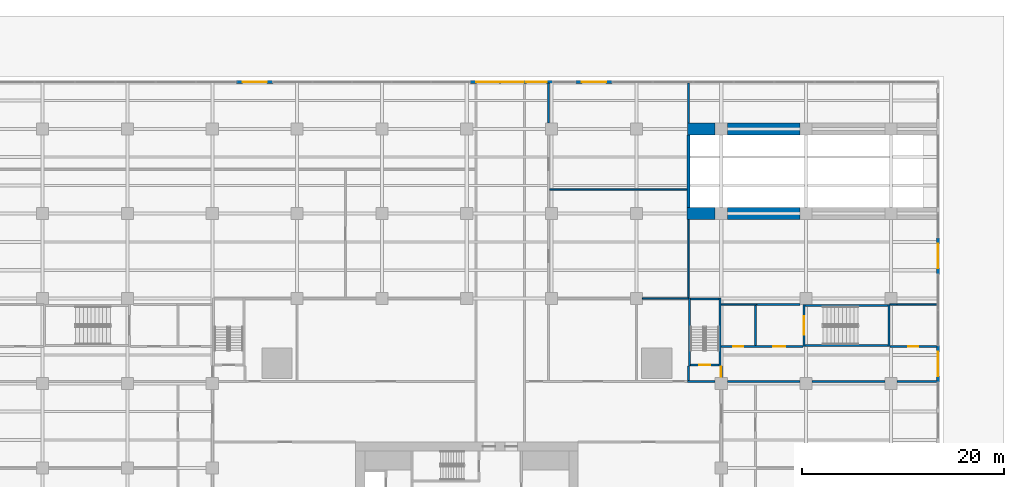
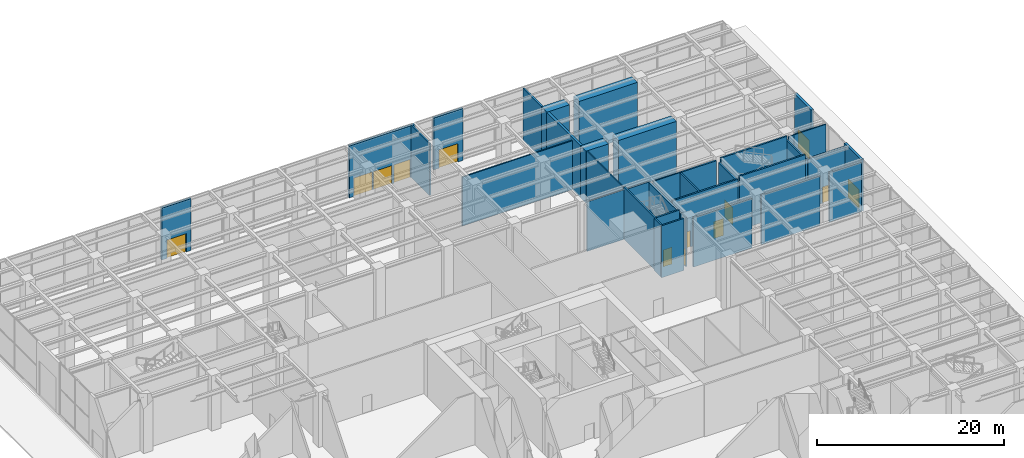
# One storey, part 35 of 43: 36 walls, 13 doors, 13 openings.
"""IFC4 building model written with IfcOpenShell, lengths in metres."""

from ifc_helpers import new_model, si_unit, direction, frame, frame_2d, origin, place, context, subcontext, project, spatial, rectangle, extrude, material, layer, layer_set, type_object, element, fill, save


model = new_model("IFC4")

# Units and contexts
model_context = context("Model", 3, precision=1e-05, world=origin(), true_north=direction((0.0, 1.0)))
body_context = subcontext(model_context, "Body", "Model", "MODEL_VIEW")
ifc_project = project(units=[si_unit("LENGTHUNIT", "METRE"), si_unit("AREAUNIT", "SQUARE_METRE"), si_unit("VOLUMEUNIT", "CUBIC_METRE"), si_unit("PLANEANGLEUNIT", "RADIAN"), si_unit("MASSUNIT", "GRAM", prefix="KILO")], contexts=[model_context])

# Site, building, storey
site_placement = place(None, origin())
site = spatial("IfcSite", under=ifc_project, at=site_placement, CompositionType="ELEMENT")
building_placement = place(site_placement, origin())
building = spatial("IfcBuilding", under=site, at=building_placement, Name="Khepri Terraces", CompositionType="ELEMENT")
storey_placement = place(building_placement, origin())
storey = spatial("IfcBuildingStorey", under=building, at=storey_placement, Name="L00", CompositionType="ELEMENT", Elevation=0.0)

# Wall, opening, door
ifc_material_1 = material(Name="Precast concrete C50/60 warm stone", Category="masonry")
ifc_layer_1 = layer(ifc_material_1, 0.300048828125, Name="Precast concrete C50/60 warm stone", Category="masonry")
ifc_layer_set_1 = layer_set([ifc_layer_1], Name="Precast concrete C50/60 warm stone")
wall_type_1 = type_object("IfcWallType", Name="WL-EXT-PRECAST-300", PredefinedType="STANDARD", material=ifc_layer_set_1)
wall_1_placement = place(storey_placement, frame((46.64990234375, 16.925048828125, 0.0), z_axis=(0.0, 0.0, 1.0), x_axis=(0.0, 1.0, 0.0)))
wall_1 = element("IfcWall", 1, at=wall_1_placement, inside=storey, type_object=wall_type_1, Name="External wall L00 E", PredefinedType="STANDARD", context=body_context, shape_type="SweptSolid", body=[
    extrude(rectangle(XDim=3.599853515625, YDim=0.300048828125, at=frame_2d((1.7998046875, 0.0))), origin(), (0.0, 0.0, 1.0), 6.780029296875),
])
opening_1_placement = place(wall_1_placement, frame((0.60009765625, 0.0, 0.0)))
opening_1 = element("IfcOpeningElement", 2, at=opening_1_placement, cuts=wall_1, Name="Opening ED-L00-08", PredefinedType="OPENING", context=body_context, shape_type="SweptSolid", body=[
    extrude(rectangle(XDim=2.39990234375, YDim=2.39990234375, at=frame_2d((1.199951171875, 1.199951171875))), frame((0.0, 0.16015625, 0.0), z_axis=(0.0, -1.0, 0.0), x_axis=(1.0, 0.0, 0.0)), (0.0, 0.0, 1.0), 0.320068359375),
])
ifc_material_2 = material(Name="Painted galvanised steel leaf", Category="steel")
door_type_1 = type_object("IfcDoorType", Name="DR-EXIT-2400x2400", OperationType="NOTDEFINED", PredefinedType="DOOR", material=ifc_material_2)
door_1_placement = place(opening_1_placement, frame((2.39990234375, 0.0, 0.0), z_axis=(0.0, 0.0, 1.0), x_axis=(-1.0, 0.0, 0.0)))
door_1 = element("IfcDoor", 3, at=door_1_placement, inside=storey, type_object=door_type_1, Name="Stair discharge door L00 E", OperationType="SINGLE_SWING_RIGHT", OverallHeight=2.39990234375, OverallWidth=2.39990234375, PredefinedType="DOOR", context=body_context, shape_type="SweptSolid", body=[
    extrude(rectangle(XDim=2.39990234375, YDim=2.39990234375, at=frame_2d((1.199951171875, 1.199951171875))), frame((0.0, 0.02490234375, 0.0), z_axis=(0.0, -1.0, 0.0), x_axis=(1.0, 0.0, 0.0)), (0.0, 0.0, 1.0), 0.050048828125),
])
fill(opening_1, door_1)

wall_2_placement = place(storey_placement, frame((46.64990234375, 27.60009765625, 0.0), z_axis=(0.0, 0.0, 1.0), x_axis=(0.0, 1.0, 0.0)))
wall_2 = element("IfcWall", 4, at=wall_2_placement, inside=storey, type_object=wall_type_1, Name="External wall L00 E", PredefinedType="STANDARD", context=body_context, shape_type="SweptSolid", body=[
    extrude(rectangle(XDim=3.599853515625, YDim=0.300048828125, at=frame_2d((1.7998046875, 0.0))), origin(), (0.0, 0.0, 1.0), 6.780029296875),
])
opening_2_placement = place(wall_2_placement, frame((0.60009765625, 0.0, 0.0)))
opening_2 = element("IfcOpeningElement", 5, at=opening_2_placement, cuts=wall_2, Name="Opening ED-L00-09", PredefinedType="OPENING", context=body_context, shape_type="SweptSolid", body=[
    extrude(rectangle(XDim=2.39990234375, YDim=2.39990234375, at=frame_2d((1.199951171875, 1.199951171875))), frame((0.0, 0.16015625, 0.0), z_axis=(0.0, -1.0, 0.0), x_axis=(1.0, 0.0, 0.0)), (0.0, 0.0, 1.0), 0.320068359375),
])
ifc_material_3 = material(Name="Anodised aluminium bronze glazed door", Category="aluminium")
door_type_2 = type_object("IfcDoorType", Name="DR-SHOP-2400x2400", OperationType="NOTDEFINED", PredefinedType="DOOR", material=ifc_material_3)
door_2_placement = place(opening_2_placement, frame((2.39990234375, 0.0, 0.0), z_axis=(0.0, 0.0, 1.0), x_axis=(-1.0, 0.0, 0.0)))
door_2 = element("IfcDoor", 6, at=door_2_placement, inside=storey, type_object=door_type_2, Name="Retail door L00 E", OperationType="DOUBLE_DOOR_SINGLE_SWING", OverallHeight=2.39990234375, OverallWidth=2.39990234375, PredefinedType="DOOR", context=body_context, shape_type="SweptSolid", body=[
    extrude(rectangle(XDim=2.39990234375, YDim=2.39990234375, at=frame_2d((1.199951171875, 1.199951171875))), frame((0.0, 0.02490234375, 0.0), z_axis=(0.0, -1.0, 0.0), x_axis=(1.0, 0.0, 0.0)), (0.0, 0.0, 1.0), 0.050048828125),
])
fill(opening_2, door_2)

wall_3_placement = place(storey_placement, frame((14.39990234375, 46.64990234375, 0.0), z_axis=(0.0, 0.0, 1.0), x_axis=(-1.0, 0.0, 0.0)))
wall_3 = element("IfcWall", 7, at=wall_3_placement, inside=storey, type_object=wall_type_1, Name="External wall L00 N", PredefinedType="STANDARD", context=body_context, shape_type="SweptSolid", body=[
    extrude(rectangle(XDim=3.599853515625, YDim=0.300048828125, at=frame_2d((1.7998046875, 0.0))), origin(), (0.0, 0.0, 1.0), 6.780029296875),
])
opening_3_placement = place(wall_3_placement, frame((0.60009765625, 0.0, 0.0)))
opening_3 = element("IfcOpeningElement", 8, at=opening_3_placement, cuts=wall_3, Name="Opening ED-L00-12", PredefinedType="OPENING", context=body_context, shape_type="SweptSolid", body=[
    extrude(rectangle(XDim=2.39990234375, YDim=2.39990234375, at=frame_2d((1.199951171875, 1.199951171875))), frame((0.0, 0.16015625, 0.0), z_axis=(0.0, -1.0, 0.0), x_axis=(1.0, 0.0, 0.0)), (0.0, 0.0, 1.0), 0.320068359375),
])
door_type_3 = type_object("IfcDoorType", Name="DR-SERVICE-2400x2400", OperationType="NOTDEFINED", PredefinedType="DOOR", material=ifc_material_2)
door_3_placement = place(opening_3_placement, frame((2.39990234375, 0.0, 0.0), z_axis=(0.0, 0.0, 1.0), x_axis=(-1.0, 0.0, 0.0)))
door_3 = element("IfcDoor", 9, at=door_3_placement, inside=storey, type_object=door_type_3, Name="Service door L00 N", OperationType="DOUBLE_DOOR_SINGLE_SWING", OverallHeight=2.39990234375, OverallWidth=2.39990234375, PredefinedType="DOOR", context=body_context, shape_type="SweptSolid", body=[
    extrude(rectangle(XDim=2.39990234375, YDim=2.39990234375, at=frame_2d((1.199951171875, 1.199951171875))), frame((0.0, 0.02490234375, 0.0), z_axis=(0.0, -1.0, 0.0), x_axis=(1.0, 0.0, 0.0)), (0.0, 0.0, 1.0), 0.050048828125),
])
fill(opening_3, door_3)

# Wall, openings, doors
wall_4_placement = place(storey_placement, frame((8.5, 46.64990234375, 0.0), z_axis=(0.0, 0.0, 1.0), x_axis=(-1.0, 0.0, 0.0)))
wall_4 = element("IfcWall", 10, at=wall_4_placement, inside=storey, type_object=wall_type_1, Name="External wall L00 N", PredefinedType="STANDARD", context=body_context, shape_type="SweptSolid", body=[
    extrude(rectangle(XDim=8.14990234375, YDim=0.300048828125, at=frame_2d((4.074951171875, 0.0))), origin(), (0.0, 0.0, 1.0), 6.780029296875),
])
opening_4_placement = place(wall_4_placement, frame((0.60009765625, 0.0, 0.0)))
opening_4 = element("IfcOpeningElement", 11, at=opening_4_placement, cuts=wall_4, Name="Opening ED-L00-13", PredefinedType="OPENING", context=body_context, shape_type="SweptSolid", body=[
    extrude(rectangle(XDim=2.0, YDim=2.39990234375, at=frame_2d((1.0, 1.199951171875))), frame((0.0, 0.16015625, 0.0), z_axis=(0.0, -1.0, 0.0), x_axis=(1.0, 0.0, 0.0)), (0.0, 0.0, 1.0), 0.320068359375),
])
opening_5_placement = place(wall_4_placement, frame((2.85009765625, 0.0, 0.0)))
opening_5 = element("IfcOpeningElement", 12, at=opening_5_placement, cuts=wall_4, Name="Opening ED-L00-14", PredefinedType="OPENING", context=body_context, shape_type="SweptSolid", body=[
    extrude(rectangle(XDim=2.300048828125, YDim=2.39990234375, at=frame_2d((1.14990234375, 1.199951171875))), frame((0.0, 0.16015625, 0.0), z_axis=(0.0, -1.0, 0.0), x_axis=(1.0, 0.0, 0.0)), (0.0, 0.0, 1.0), 0.320068359375),
])
opening_6_placement = place(wall_4_placement, frame((5.25, 0.0, 0.0)))
opening_6 = element("IfcOpeningElement", 13, at=opening_6_placement, cuts=wall_4, Name="Opening ED-L00-15", PredefinedType="OPENING", context=body_context, shape_type="SweptSolid", body=[
    extrude(rectangle(XDim=2.300048828125, YDim=2.39990234375, at=frame_2d((1.14990234375, 1.199951171875))), frame((0.0, 0.16015625, 0.0), z_axis=(0.0, -1.0, 0.0), x_axis=(1.0, 0.0, 0.0)), (0.0, 0.0, 1.0), 0.320068359375),
])
door_type_4 = type_object("IfcDoorType", Name="DR-EXIT-2300x2400", OperationType="NOTDEFINED", PredefinedType="DOOR", material=ifc_material_2)
door_4_placement = place(opening_5_placement, frame((2.300048828125, 0.0, 0.0), z_axis=(0.0, 0.0, 1.0), x_axis=(-1.0, 0.0, 0.0)))
door_4 = element("IfcDoor", 14, at=door_4_placement, inside=storey, type_object=door_type_4, Name="Stair discharge door L00 N", OperationType="SINGLE_SWING_LEFT", OverallHeight=2.39990234375, OverallWidth=2.300048828125, PredefinedType="DOOR", context=body_context, shape_type="SweptSolid", body=[
    extrude(rectangle(XDim=2.300048828125, YDim=2.39990234375, at=frame_2d((1.14990234375, 1.199951171875))), frame((0.0, 0.02490234375, 0.0), z_axis=(0.0, -1.0, 0.0), x_axis=(1.0, 0.0, 0.0)), (0.0, 0.0, 1.0), 0.050048828125),
])
fill(opening_5, door_4)
door_5_placement = place(opening_6_placement, frame((2.300048828125, 0.0, 0.0), z_axis=(0.0, 0.0, 1.0), x_axis=(-1.0, 0.0, 0.0)))
door_5 = element("IfcDoor", 15, at=door_5_placement, inside=storey, type_object=door_type_4, Name="Stair discharge door L00 N", OperationType="SINGLE_SWING_LEFT", OverallHeight=2.39990234375, OverallWidth=2.300048828125, PredefinedType="DOOR", context=body_context, shape_type="SweptSolid", body=[
    extrude(rectangle(XDim=2.300048828125, YDim=2.39990234375, at=frame_2d((1.14990234375, 1.199951171875))), frame((0.0, 0.02490234375, 0.0), z_axis=(0.0, -1.0, 0.0), x_axis=(1.0, 0.0, 0.0)), (0.0, 0.0, 1.0), 0.050048828125),
])
fill(opening_6, door_5)
door_type_5 = type_object("IfcDoorType", Name="DR-SHOP-2000x2400", OperationType="NOTDEFINED", PredefinedType="DOOR", material=ifc_material_3)
door_6_placement = place(opening_4_placement, frame((2.0, 0.0, 0.0), z_axis=(0.0, 0.0, 1.0), x_axis=(-1.0, 0.0, 0.0)))
door_6 = element("IfcDoor", 16, at=door_6_placement, inside=storey, type_object=door_type_5, Name="Retail door L00 N", OperationType="DOUBLE_DOOR_SINGLE_SWING", OverallHeight=2.39990234375, OverallWidth=2.0, PredefinedType="DOOR", context=body_context, shape_type="SweptSolid", body=[
    extrude(rectangle(XDim=2.0, YDim=2.39990234375, at=frame_2d((1.0, 1.199951171875))), frame((0.0, 0.02490234375, 0.0), z_axis=(0.0, -1.0, 0.0), x_axis=(1.0, 0.0, 0.0)), (0.0, 0.0, 1.0), 0.050048828125),
])
fill(opening_4, door_6)

# Wall, opening, door
wall_5_placement = place(storey_placement, frame((-19.199951171875, 46.64990234375, 0.0), z_axis=(0.0, 0.0, 1.0), x_axis=(-1.0, 0.0, 0.0)))
wall_5 = element("IfcWall", 17, at=wall_5_placement, inside=storey, type_object=wall_type_1, Name="External wall L00 N", PredefinedType="STANDARD", context=body_context, shape_type="SweptSolid", body=[
    extrude(rectangle(XDim=3.60009765625, YDim=0.300048828125, at=frame_2d((1.800048828125, 0.0))), origin(), (0.0, 0.0, 1.0), 6.780029296875),
])
opening_7_placement = place(wall_5_placement, frame((0.60009765625, 0.0, 0.0)))
opening_7 = element("IfcOpeningElement", 18, at=opening_7_placement, cuts=wall_5, Name="Opening ED-L00-16", PredefinedType="OPENING", context=body_context, shape_type="SweptSolid", body=[
    extrude(rectangle(XDim=2.39990234375, YDim=2.39990234375, at=frame_2d((1.199951171875, 1.199951171875))), frame((0.0, 0.16015625, 0.0), z_axis=(0.0, -1.0, 0.0), x_axis=(1.0, 0.0, 0.0)), (0.0, 0.0, 1.0), 0.320068359375),
])
door_7_placement = place(opening_7_placement, frame((2.39990234375, 0.0, 0.0), z_axis=(0.0, 0.0, 1.0), x_axis=(-1.0, 0.0, 0.0)))
door_7 = element("IfcDoor", 19, at=door_7_placement, inside=storey, type_object=door_type_3, Name="Service door L00 N", OperationType="DOUBLE_DOOR_SINGLE_SWING", OverallHeight=2.39990234375, OverallWidth=2.39990234375, PredefinedType="DOOR", context=body_context, shape_type="SweptSolid", body=[
    extrude(rectangle(XDim=2.39990234375, YDim=2.39990234375, at=frame_2d((1.199951171875, 1.199951171875))), frame((0.0, 0.02490234375, 0.0), z_axis=(0.0, -1.0, 0.0), x_axis=(1.0, 0.0, 0.0)), (0.0, 0.0, 1.0), 0.050048828125),
])
fill(opening_7, door_7)

# Walls
ifc_material_4 = material(Name="Gypsum board partition")
ifc_layer_2 = layer(ifc_material_4, 0.14990234375, Name="Gypsum board partition")
ifc_layer_set_2 = layer_set([ifc_layer_2], Name="Gypsum board partition")
wall_type_2 = type_object("IfcWallType", Name="WL-POD-150", PredefinedType="PARTITIONING", material=ifc_layer_set_2)
wall_6_placement = place(storey_placement, frame((25.199951171875, 24.60009765625, 0.0), z_axis=(0.0, 0.0, 1.0), x_axis=(1.0, 0.0, 0.0)))
element("IfcWall", 20, at=wall_6_placement, inside=storey, type_object=wall_type_2, Name="Partition L00-PW071", PredefinedType="PARTITIONING", context=body_context, shape_type="SweptSolid", body=[
    extrude(rectangle(XDim=3.5, YDim=0.14990234375, at=frame_2d((1.75, 0.0))), origin(), (0.0, 0.0, 1.0), 6.780029296875),
])
wall_7_placement = place(storey_placement, frame((41.89990234375, 24.60009765625, 0.0), z_axis=(0.0, 0.0, 1.0), x_axis=(1.0, 0.0, 0.0)))
element("IfcWall", 21, at=wall_7_placement, inside=storey, type_object=wall_type_2, Name="Partition L00-PW073", PredefinedType="PARTITIONING", context=body_context, shape_type="SweptSolid", body=[
    extrude(rectangle(XDim=0.7001953125, YDim=0.14990234375, at=frame_2d((0.35009765625, 0.0))), origin(), (0.0, 0.0, 1.0), 6.780029296875),
])
wall_8_placement = place(storey_placement, frame((42.60009765625, 24.60009765625, 0.0), z_axis=(0.0, 0.0, 1.0), x_axis=(1.0, 0.0, 0.0)))
element("IfcWall", 22, at=wall_8_placement, inside=storey, type_object=wall_type_2, Name="Partition L00-PW074", PredefinedType="PARTITIONING", context=body_context, shape_type="SweptSolid", body=[
    extrude(rectangle(XDim=3.949951171875, YDim=0.14990234375, at=frame_2d((1.97509765625, 0.0))), origin(), (0.0, 0.0, 1.0), 6.780029296875),
])
wall_9_placement = place(storey_placement, frame((17.39990234375, 25.199951171875, 0.0), z_axis=(0.0, 0.0, 1.0), x_axis=(1.0, 0.0, 0.0)))
element("IfcWall", 23, at=wall_9_placement, inside=storey, type_object=wall_type_2, Name="Partition L00-PW079", PredefinedType="PARTITIONING", context=body_context, shape_type="SweptSolid", body=[
    extrude(rectangle(XDim=4.550048828125, YDim=0.14990234375, at=frame_2d((2.27490234375, 0.0))), origin(), (0.0, 0.0, 1.0), 6.47998046875),
])
wall_10_placement = place(storey_placement, frame((8.199951171875, 36.0, 0.0), z_axis=(0.0, 0.0, 1.0), x_axis=(1.0, 0.0, 0.0)))
element("IfcWall", 24, at=wall_10_placement, inside=storey, type_object=wall_type_2, Name="Partition L00-PW084", PredefinedType="PARTITIONING", context=body_context, shape_type="SweptSolid", body=[
    extrude(rectangle(XDim=13.60009765625, YDim=0.14990234375, at=frame_2d((6.800048828125, 0.0))), origin(), (0.0, 0.0, 1.0), 6.3798828125),
])
wall_11_placement = place(storey_placement, frame((21.949951171875, 25.27490234375, 0.0), z_axis=(0.0, 0.0, 1.0), x_axis=(0.0, 1.0, 0.0)))
element("IfcWall", 25, at=wall_11_placement, inside=storey, type_object=wall_type_2, Name="Partition L00-PW128", PredefinedType="PARTITIONING", context=body_context, shape_type="SweptSolid", body=[
    extrude(rectangle(XDim=7.72509765625, YDim=0.14990234375, at=frame_2d((3.862548828125, 0.0))), origin(), (0.0, 0.0, 1.0), 6.780029296875),
])
ifc_material_5 = material(Name="Fire-rated block wall")
ifc_layer_3 = layer(ifc_material_5, 0.199951171875, Name="Fire-rated block wall")
ifc_layer_set_3 = layer_set([ifc_layer_3], Name="Fire-rated block wall")
wall_type_3 = type_object("IfcWallType", Name="WL-POD-200-EI120", PredefinedType="PARTITIONING", material=ifc_layer_set_3)
wall_12_placement = place(storey_placement, frame((21.85009765625, 17.0, 0.0), z_axis=(0.0, 0.0, 1.0), x_axis=(1.0, 0.0, 0.0)))
element("IfcWall", 26, at=wall_12_placement, inside=storey, type_object=wall_type_3, Name="Partition L00-PW059", PredefinedType="PARTITIONING", context=body_context, shape_type="SweptSolid", body=[
    extrude(rectangle(XDim=2.75, YDim=0.199951171875, at=frame_2d((1.375, 0.0))), origin(), (0.0, 0.0, 1.0), 6.780029296875),
])
for number, where, z_axis, x_axis, name in (
    (27, (25.800048828125, 17.0, 0.0), (0.0, 0.0, 1.0), (1.0, 0.0, 0.0), "Partition L00-PW060"),
    (28, (34.199951171875, 17.0, 0.0), (0.0, 0.0, 1.0), (1.0, 0.0, 0.0), "Partition L00-PW061"),
):
    element("IfcWall", number, at=place(storey_placement, frame(where, z_axis=z_axis, x_axis=x_axis)), inside=storey, type_object=wall_type_3, Name=name, PredefinedType="PARTITIONING", context=body_context, shape_type="SweptSolid", body=[
        extrude(rectangle(XDim=7.199951171875, YDim=0.199951171875, at=frame_2d((3.60009765625, 0.0))), origin(), (0.0, 0.0, 1.0), 6.47998046875),
    ])
wall_13_placement = place(storey_placement, frame((42.60009765625, 17.0, 0.0), z_axis=(0.0, 0.0, 1.0), x_axis=(1.0, 0.0, 0.0)))
element("IfcWall", 29, at=wall_13_placement, inside=storey, type_object=wall_type_3, Name="Partition L00-PW062", PredefinedType="PARTITIONING", context=body_context, shape_type="SweptSolid", body=[
    extrude(rectangle(XDim=3.949951171875, YDim=0.199951171875, at=frame_2d((1.97509765625, 0.0))), origin(), (0.0, 0.0, 1.0), 6.47998046875),
])

# Wall, openings, doors
wall_14_placement = place(storey_placement, frame((25.199951171875, 20.449951171875, 0.0), z_axis=(0.0, 0.0, 1.0), x_axis=(1.0, 0.0, 0.0)))
wall_14 = element("IfcWall", 30, at=wall_14_placement, inside=storey, type_object=wall_type_3, Name="Partition L00-PW065", PredefinedType="PARTITIONING", context=body_context, shape_type="SweptSolid", body=[
    extrude(rectangle(XDim=8.10009765625, YDim=0.199951171875, at=frame_2d((4.050048828125, 0.0))), origin(), (0.0, 0.0, 1.0), 6.780029296875),
])
opening_8_placement = place(wall_14_placement, frame((1.199951171875, 0.0, 0.0)))
opening_8 = element("IfcOpeningElement", 31, at=opening_8_placement, cuts=wall_14, Name="Opening L00-P51", PredefinedType="OPENING", context=body_context, shape_type="SweptSolid", body=[
    extrude(rectangle(XDim=1.0, YDim=2.10009765625, at=frame_2d((0.5, 1.050048828125))), frame((0.0, 0.10986328125, 0.0), z_axis=(0.0, -1.0, 0.0), x_axis=(1.0, 0.0, 0.0)), (0.0, 0.0, 1.0), 0.219970703125),
])
opening_9_placement = place(wall_14_placement, frame((5.14990234375, 0.0, 0.0)))
opening_9 = element("IfcOpeningElement", 32, at=opening_9_placement, cuts=wall_14, Name="Opening L00-P52", PredefinedType="OPENING", context=body_context, shape_type="SweptSolid", body=[
    extrude(rectangle(XDim=1.199951171875, YDim=2.199951171875, at=frame_2d((0.60009765625, 1.10009765625))), frame((0.0, 0.10986328125, 0.0), z_axis=(0.0, -1.0, 0.0), x_axis=(1.0, 0.0, 0.0)), (0.0, 0.0, 1.0), 0.219970703125),
])
ifc_material_6 = material(Name="Painted steel", Category="steel")
door_type_6 = type_object("IfcDoorType", Name="DR-POD-EXIT-1200", OperationType="NOTDEFINED", PredefinedType="DOOR", material=ifc_material_6)
door_8_placement = place(opening_9_placement, origin())
door_8 = element("IfcDoor", 33, at=door_8_placement, inside=storey, type_object=door_type_6, Name="Exit door L00-P52", OperationType="SINGLE_SWING_LEFT", OverallHeight=2.199951171875, OverallWidth=1.199951171875, PredefinedType="DOOR", context=body_context, shape_type="SweptSolid", body=[
    extrude(rectangle(XDim=1.199951171875, YDim=2.199951171875, at=frame_2d((0.60009765625, 1.10009765625))), frame((0.0, 0.02490234375, 0.0), z_axis=(0.0, -1.0, 0.0), x_axis=(1.0, 0.0, 0.0)), (0.0, 0.0, 1.0), 0.050048828125),
])
fill(opening_9, door_8)
ifc_material_7 = material(Name="Timber veneer", Category="wood")
door_type_7 = type_object("IfcDoorType", Name="DR-POD-SINGLE-1000", OperationType="NOTDEFINED", PredefinedType="DOOR", material=ifc_material_7)
door_9_placement = place(opening_8_placement, origin())
door_9 = element("IfcDoor", 34, at=door_9_placement, inside=storey, type_object=door_type_7, Name="Door L00-P51", OperationType="SINGLE_SWING_LEFT", OverallHeight=2.10009765625, OverallWidth=1.0, PredefinedType="DOOR", context=body_context, shape_type="SweptSolid", body=[
    extrude(rectangle(XDim=1.0, YDim=2.10009765625, at=frame_2d((0.5, 1.050048828125))), frame((0.0, 0.02490234375, 0.0), z_axis=(0.0, -1.0, 0.0), x_axis=(1.0, 0.0, 0.0)), (0.0, 0.0, 1.0), 0.050048828125),
])
fill(opening_8, door_9)

# Wall, opening, door
wall_15_placement = place(storey_placement, frame((41.89990234375, 20.449951171875, 0.0), z_axis=(0.0, 0.0, 1.0), x_axis=(1.0, 0.0, 0.0)))
wall_15 = element("IfcWall", 35, at=wall_15_placement, inside=storey, type_object=wall_type_3, Name="Partition L00-PW066", PredefinedType="PARTITIONING", context=body_context, shape_type="SweptSolid", body=[
    extrude(rectangle(XDim=4.650146484375, YDim=0.199951171875, at=frame_2d((2.3251953125, 0.0))), origin(), (0.0, 0.0, 1.0), 6.3798828125),
])
opening_10_placement = place(wall_15_placement, frame((1.800048828125, 0.0, 0.0)))
opening_10 = element("IfcOpeningElement", 36, at=opening_10_placement, cuts=wall_15, Name="Opening L00-P53", PredefinedType="OPENING", context=body_context, shape_type="SweptSolid", body=[
    extrude(rectangle(XDim=1.0, YDim=2.10009765625, at=frame_2d((0.5, 1.050048828125))), frame((0.0, 0.10986328125, 0.0), z_axis=(0.0, -1.0, 0.0), x_axis=(1.0, 0.0, 0.0)), (0.0, 0.0, 1.0), 0.219970703125),
])
door_10_placement = place(opening_10_placement, origin())
door_10 = element("IfcDoor", 37, at=door_10_placement, inside=storey, type_object=door_type_7, Name="Door L00-P53", OperationType="SINGLE_SWING_LEFT", OverallHeight=2.10009765625, OverallWidth=1.0, PredefinedType="DOOR", context=body_context, shape_type="SweptSolid", body=[
    extrude(rectangle(XDim=1.0, YDim=2.10009765625, at=frame_2d((0.5, 1.050048828125))), frame((0.0, 0.02490234375, 0.0), z_axis=(0.0, -1.0, 0.0), x_axis=(1.0, 0.0, 0.0)), (0.0, 0.0, 1.0), 0.050048828125),
])
fill(opening_10, door_10)

# Walls
wall_16_placement = place(storey_placement, frame((28.5, 24.60009765625, 0.0), z_axis=(0.0, 0.0, 1.0), x_axis=(1.0, 0.0, 0.0)))
element("IfcWall", 38, at=wall_16_placement, inside=storey, type_object=wall_type_3, Name="Partition L00-PW072", PredefinedType="PARTITIONING", context=body_context, shape_type="SweptSolid", body=[
    extrude(rectangle(XDim=4.5, YDim=0.199951171875, at=frame_2d((2.25, 0.0))), origin(), (0.0, 0.0, 1.0), 6.780029296875),
])
wall_17_placement = place(storey_placement, frame((21.949951171875, 17.10009765625, 0.0), z_axis=(0.0, 0.0, 1.0), x_axis=(0.0, 1.0, 0.0)))
element("IfcWall", 39, at=wall_17_placement, inside=storey, type_object=wall_type_3, Name="Partition L00-PW127", PredefinedType="PARTITIONING", context=body_context, shape_type="SweptSolid", body=[
    extrude(rectangle(XDim=1.39990234375, YDim=0.199951171875, at=frame_2d((0.699951171875, 0.0))), origin(), (0.0, 0.0, 1.0), 6.780029296875),
])
wall_18_placement = place(storey_placement, frame((21.949951171875, 42.60009765625, 0.0), z_axis=(0.0, 0.0, 1.0), x_axis=(0.0, 1.0, 0.0)))
element("IfcWall", 40, at=wall_18_placement, inside=storey, type_object=wall_type_3, Name="Partition L00-PW130", PredefinedType="PARTITIONING", context=body_context, shape_type="SweptSolid", body=[
    extrude(rectangle(XDim=3.949951171875, YDim=0.199951171875, at=frame_2d((1.97509765625, 0.0))), origin(), (0.0, 0.0, 1.0), 6.780029296875),
])

# Wall, opening, door
wall_19_placement = place(storey_placement, frame((25.199951171875, 17.39990234375, 0.0), z_axis=(0.0, 0.0, 1.0), x_axis=(0.0, 1.0, 0.0)))
wall_19 = element("IfcWall", 41, at=wall_19_placement, inside=storey, type_object=wall_type_3, Name="Partition L00-PW139", PredefinedType="PARTITIONING", context=body_context, shape_type="SweptSolid", body=[
    extrude(rectangle(XDim=1.10009765625, YDim=0.199951171875, at=frame_2d((0.550048828125, 0.0))), origin(), (0.0, 0.0, 1.0), 6.3798828125),
])
opening_11_placement = place(wall_19_placement, frame((0.050048828125, 0.0, 0.0)))
opening_11 = element("IfcOpeningElement", 42, at=opening_11_placement, cuts=wall_19, Name="Opening L00-P47", PredefinedType="OPENING", context=body_context, shape_type="SweptSolid", body=[
    extrude(rectangle(XDim=1.0, YDim=2.199951171875, at=frame_2d((0.5, 1.10009765625))), frame((0.0, 0.10986328125, 0.0), z_axis=(0.0, -1.0, 0.0), x_axis=(1.0, 0.0, 0.0)), (0.0, 0.0, 1.0), 0.219970703125),
])
door_type_8 = type_object("IfcDoorType", Name="DR-POD-EXIT-1000", OperationType="NOTDEFINED", PredefinedType="DOOR", material=ifc_material_6)
door_11_placement = place(opening_11_placement, origin())
door_11 = element("IfcDoor", 43, at=door_11_placement, inside=storey, type_object=door_type_8, Name="Exit door L00-P47", OperationType="SINGLE_SWING_RIGHT", OverallHeight=2.199951171875, OverallWidth=1.0, PredefinedType="DOOR", context=body_context, shape_type="SweptSolid", body=[
    extrude(rectangle(XDim=1.0, YDim=2.199951171875, at=frame_2d((0.5, 1.10009765625))), frame((0.0, 0.02490234375, 0.0), z_axis=(0.0, -1.0, 0.0), x_axis=(1.0, 0.0, 0.0)), (0.0, 0.0, 1.0), 0.050048828125),
])
fill(opening_11, door_11)

# Walls
wall_20_placement = place(storey_placement, frame((28.60009765625, 20.550048828125, 0.0), z_axis=(0.0, 0.0, 1.0), x_axis=(0.0, 1.0, 0.0)))
element("IfcWall", 44, at=wall_20_placement, inside=storey, type_object=wall_type_3, Name="Partition L00-PW142", PredefinedType="PARTITIONING", context=body_context, shape_type="SweptSolid", body=[
    extrude(rectangle(XDim=3.949951171875, YDim=0.199951171875, at=frame_2d((1.97509765625, 0.0))), origin(), (0.0, 0.0, 1.0), 6.780029296875),
])
ifc_layer_4 = layer(ifc_material_5, 0.199951171875, Name="Fire-rated block wall")
ifc_layer_set_4 = layer_set([ifc_layer_4], Name="Fire-rated block wall")
wall_type_4 = type_object("IfcWallType", Name="WL-POD-200-EI60", PredefinedType="PARTITIONING", material=ifc_layer_set_4)
wall_21_placement = place(storey_placement, frame((8.10009765625, 42.60009765625, 0.0), z_axis=(0.0, 0.0, 1.0), x_axis=(0.0, 1.0, 0.0)))
element("IfcWall", 45, at=wall_21_placement, inside=storey, type_object=wall_type_4, Name="Partition L00-PW117", PredefinedType="PARTITIONING", context=body_context, shape_type="SweptSolid", body=[
    extrude(rectangle(XDim=3.949951171875, YDim=0.199951171875, at=frame_2d((1.97509765625, 0.0))), origin(), (0.0, 0.0, 1.0), 6.780029296875),
])
ifc_material_8 = material(Name="Concrete C40/50", Category="concrete")
ifc_layer_5 = layer(ifc_material_8, 1.199951171875, Name="Concrete C40/50", Category="concrete")
ifc_layer_set_5 = layer_set([ifc_layer_5], Name="Concrete C40/50")
wall_type_5 = type_object("IfcWallType", Name="WL-POD-RAMP-1200", PredefinedType="SOLIDWALL", material=ifc_layer_set_5)
wall_22_placement = place(storey_placement, frame((21.800048828125, 33.60009765625, 0.0), z_axis=(0.0, 0.0, 1.0), x_axis=(1.0, 0.0, 0.0)))
element("IfcWall", 46, at=wall_22_placement, inside=storey, type_object=wall_type_5, Name="Ramp wall L00-PW080", PredefinedType="SOLIDWALL", context=body_context, shape_type="SweptSolid", body=[
    extrude(rectangle(XDim=2.800048828125, YDim=1.199951171875, at=frame_2d((1.39990234375, 0.0))), origin(), (0.0, 0.0, 1.0), 6.780029296875),
])
wall_23_placement = place(storey_placement, frame((25.800048828125, 33.60009765625, 0.0), z_axis=(0.0, 0.0, 1.0), x_axis=(1.0, 0.0, 0.0)))
element("IfcWall", 47, at=wall_23_placement, inside=storey, type_object=wall_type_5, Name="Ramp wall L00-PW081", PredefinedType="SOLIDWALL", context=body_context, shape_type="SweptSolid", body=[
    extrude(rectangle(XDim=7.199951171875, YDim=1.199951171875, at=frame_2d((3.60009765625, 0.0))), origin(), (0.0, 0.0, 1.0), 6.780029296875),
])
wall_24_placement = place(storey_placement, frame((21.85009765625, 42.0, 0.0), z_axis=(0.0, 0.0, 1.0), x_axis=(1.0, 0.0, 0.0)))
element("IfcWall", 48, at=wall_24_placement, inside=storey, type_object=wall_type_5, Name="Ramp wall L00-PW086", PredefinedType="SOLIDWALL", context=body_context, shape_type="SweptSolid", body=[
    extrude(rectangle(XDim=2.75, YDim=1.199951171875, at=frame_2d((1.375, 0.0))), origin(), (0.0, 0.0, 1.0), 6.780029296875),
])
wall_25_placement = place(storey_placement, frame((25.800048828125, 42.0, 0.0), z_axis=(0.0, 0.0, 1.0), x_axis=(1.0, 0.0, 0.0)))
element("IfcWall", 49, at=wall_25_placement, inside=storey, type_object=wall_type_5, Name="Ramp wall L00-PW087", PredefinedType="SOLIDWALL", context=body_context, shape_type="SweptSolid", body=[
    extrude(rectangle(XDim=7.199951171875, YDim=1.199951171875, at=frame_2d((3.60009765625, 0.0))), origin(), (0.0, 0.0, 1.0), 6.780029296875),
])
ifc_layer_6 = layer(ifc_material_8, 0.300048828125, Name="Concrete C40/50", Category="concrete")
ifc_layer_set_6 = layer_set([ifc_layer_6], Name="Concrete C40/50")
wall_type_6 = type_object("IfcWallType", Name="WL-POD-RAMP-300", PredefinedType="SOLIDWALL", material=ifc_layer_set_6)
wall_26_placement = place(storey_placement, frame((21.949951171875, 34.199951171875, 0.0), z_axis=(0.0, 0.0, 1.0), x_axis=(0.0, 1.0, 0.0)))
element("IfcWall", 50, at=wall_26_placement, inside=storey, type_object=wall_type_6, Name="Ramp wall L00-PW129", PredefinedType="SOLIDWALL", context=body_context, shape_type="SweptSolid", body=[
    extrude(rectangle(XDim=7.199951171875, YDim=0.300048828125, at=frame_2d((3.60009765625, 0.0))), origin(), (0.0, 0.0, 1.0), 6.780029296875),
])
ifc_layer_7 = layer(ifc_material_8, 0.199951171875, Name="Concrete C40/50", Category="concrete")
ifc_layer_set_7 = layer_set([ifc_layer_7], Name="Concrete C40/50")
wall_type_7 = type_object("IfcWallType", Name="WL-POD-STAIR-200", PredefinedType="SOLIDWALL", material=ifc_layer_set_7)
wall_27_placement = place(storey_placement, frame((22.050048828125, 18.5, 0.0), z_axis=(0.0, 0.0, 1.0), x_axis=(0.0, 1.0, 0.0)))
element("IfcWall", 51, at=wall_27_placement, inside=storey, type_object=wall_type_7, Name="Stair enclosure PS-1 L00-W", PredefinedType="SOLIDWALL", context=body_context, shape_type="SweptSolid", body=[
    extrude(rectangle(XDim=6.739990234375, YDim=0.199951171875, at=frame_2d((3.3701171875, 0.0))), origin(), (0.0, 0.0, 1.0), 6.780029296875),
])
wall_28_placement = place(storey_placement, frame((25.10009765625, 18.5, 0.0), z_axis=(0.0, 0.0, 1.0), x_axis=(0.0, 1.0, 0.0)))
element("IfcWall", 52, at=wall_28_placement, inside=storey, type_object=wall_type_7, Name="Stair enclosure PS-1 L00-E", PredefinedType="SOLIDWALL", context=body_context, shape_type="SweptSolid", body=[
    extrude(rectangle(XDim=6.739990234375, YDim=0.199951171875, at=frame_2d((3.3701171875, 0.0))), origin(), (0.0, 0.0, 1.0), 6.3798828125),
])

# Wall, opening, door
wall_29_placement = place(storey_placement, frame((22.14990234375, 18.60009765625, 0.0), z_axis=(0.0, 0.0, 1.0), x_axis=(1.0, 0.0, 0.0)))
wall_29 = element("IfcWall", 53, at=wall_29_placement, inside=storey, type_object=wall_type_7, Name="Stair enclosure PS-1 L00-S", PredefinedType="SOLIDWALL", context=body_context, shape_type="SweptSolid", body=[
    extrude(rectangle(XDim=2.85009765625, YDim=0.199951171875, at=frame_2d((1.425048828125, 0.0))), origin(), (0.0, 0.0, 1.0), 6.780029296875),
])
opening_12_placement = place(wall_29_placement, frame((0.875, 0.0, 0.0)))
opening_12 = element("IfcOpeningElement", 54, at=opening_12_placement, cuts=wall_29, Name="Opening L00-PS-1D", PredefinedType="OPENING", context=body_context, shape_type="SweptSolid", body=[
    extrude(rectangle(XDim=1.10009765625, YDim=2.199951171875, at=frame_2d((0.550048828125, 1.10009765625))), frame((0.0, 0.10986328125, 0.0), z_axis=(0.0, -1.0, 0.0), x_axis=(1.0, 0.0, 0.0)), (0.0, 0.0, 1.0), 0.219970703125),
])
door_type_9 = type_object("IfcDoorType", Name="DR-POD-STAIR-1100", OperationType="NOTDEFINED", PredefinedType="DOOR", material=ifc_material_6)
door_12_placement = place(opening_12_placement, origin())
door_12 = element("IfcDoor", 55, at=door_12_placement, inside=storey, type_object=door_type_9, Name="Stair door L00-PS-1D", OperationType="SINGLE_SWING_RIGHT", OverallHeight=2.199951171875, OverallWidth=1.10009765625, PredefinedType="DOOR", context=body_context, shape_type="SweptSolid", body=[
    extrude(rectangle(XDim=1.10009765625, YDim=2.199951171875, at=frame_2d((0.550048828125, 1.10009765625))), frame((0.0, 0.02490234375, 0.0), z_axis=(0.0, -1.0, 0.0), x_axis=(1.0, 0.0, 0.0)), (0.0, 0.0, 1.0), 0.050048828125),
])
fill(opening_12, door_12)

# Wall
wall_30_placement = place(storey_placement, frame((22.14990234375, 25.139892578125, 0.0), z_axis=(0.0, 0.0, 1.0), x_axis=(1.0, 0.0, 0.0)))
element("IfcWall", 56, at=wall_30_placement, inside=storey, type_object=wall_type_7, Name="Stair enclosure PS-1 L00-N", PredefinedType="SOLIDWALL", context=body_context, shape_type="SweptSolid", body=[
    extrude(rectangle(XDim=2.85009765625, YDim=0.199951171875, at=frame_2d((1.425048828125, 0.0))), origin(), (0.0, 0.0, 1.0), 6.47998046875),
])

# Wall, opening, door
wall_31_placement = place(storey_placement, frame((33.39990234375, 20.449951171875, 0.0), z_axis=(0.0, 0.0, 1.0), x_axis=(0.0, 1.0, 0.0)))
wall_31 = element("IfcWall", 57, at=wall_31_placement, inside=storey, type_object=wall_type_7, Name="Stair enclosure PS-6 L00-W", PredefinedType="SOLIDWALL", context=body_context, shape_type="SweptSolid", body=[
    extrude(rectangle(XDim=4.150146484375, YDim=0.199951171875, at=frame_2d((2.0751953125, 0.0))), origin(), (0.0, 0.0, 1.0), 6.3798828125),
])
opening_13_placement = place(wall_31_placement, frame((1.175048828125, 0.0, 0.0)))
opening_13 = element("IfcOpeningElement", 58, at=opening_13_placement, cuts=wall_31, Name="Opening L00-PS-6D", PredefinedType="OPENING", context=body_context, shape_type="SweptSolid", body=[
    extrude(rectangle(XDim=1.800048828125, YDim=2.199951171875, at=frame_2d((0.89990234375, 1.10009765625))), frame((0.0, 0.10986328125, 0.0), z_axis=(0.0, -1.0, 0.0), x_axis=(1.0, 0.0, 0.0)), (0.0, 0.0, 1.0), 0.219970703125),
])
door_type_10 = type_object("IfcDoorType", Name="DR-POD-STAIR-PAIR-1800", OperationType="DOUBLE_DOOR_SINGLE_SWING", PredefinedType="DOOR", material=ifc_material_6)
door_13_placement = place(opening_13_placement, origin())
door_13 = element("IfcDoor", 59, at=door_13_placement, inside=storey, type_object=door_type_10, Name="Stair door L00-PS-6D", OperationType="DOUBLE_DOOR_SINGLE_SWING", OverallHeight=2.199951171875, OverallWidth=1.800048828125, PredefinedType="DOOR", context=body_context, shape_type="SweptSolid", body=[
    extrude(rectangle(XDim=1.800048828125, YDim=2.199951171875, at=frame_2d((0.89990234375, 1.10009765625))), frame((0.0, 0.02490234375, 0.0), z_axis=(0.0, -1.0, 0.0), x_axis=(1.0, 0.0, 0.0)), (0.0, 0.0, 1.0), 0.050048828125),
])
fill(opening_13, door_13)

# Walls
wall_32_placement = place(storey_placement, frame((41.800048828125, 20.449951171875, 0.0), z_axis=(0.0, 0.0, 1.0), x_axis=(0.0, 1.0, 0.0)))
element("IfcWall", 60, at=wall_32_placement, inside=storey, type_object=wall_type_7, Name="Stair enclosure PS-6 L00-E", PredefinedType="SOLIDWALL", context=body_context, shape_type="SweptSolid", body=[
    extrude(rectangle(XDim=4.150146484375, YDim=0.199951171875, at=frame_2d((2.0751953125, 0.0))), origin(), (0.0, 0.0, 1.0), 6.3798828125),
])
for number, where, z_axis, x_axis, name in (
    (61, (33.5, 20.550048828125, 0.0), (0.0, 0.0, 1.0), (1.0, 0.0, 0.0), "Stair enclosure PS-6 L00-S"),
    (62, (33.5, 24.5, 0.0), (0.0, 0.0, 1.0), (1.0, 0.0, 0.0), "Stair enclosure PS-6 L00-N"),
):
    element("IfcWall", number, at=place(storey_placement, frame(where, z_axis=z_axis, x_axis=x_axis)), inside=storey, type_object=wall_type_7, Name=name, PredefinedType="SOLIDWALL", context=body_context, shape_type="SweptSolid", body=[
        extrude(rectangle(XDim=8.199951171875, YDim=0.199951171875, at=frame_2d((4.10009765625, 0.0))), origin(), (0.0, 0.0, 1.0), 7.0),
    ])

save(model, "model.ifc")
